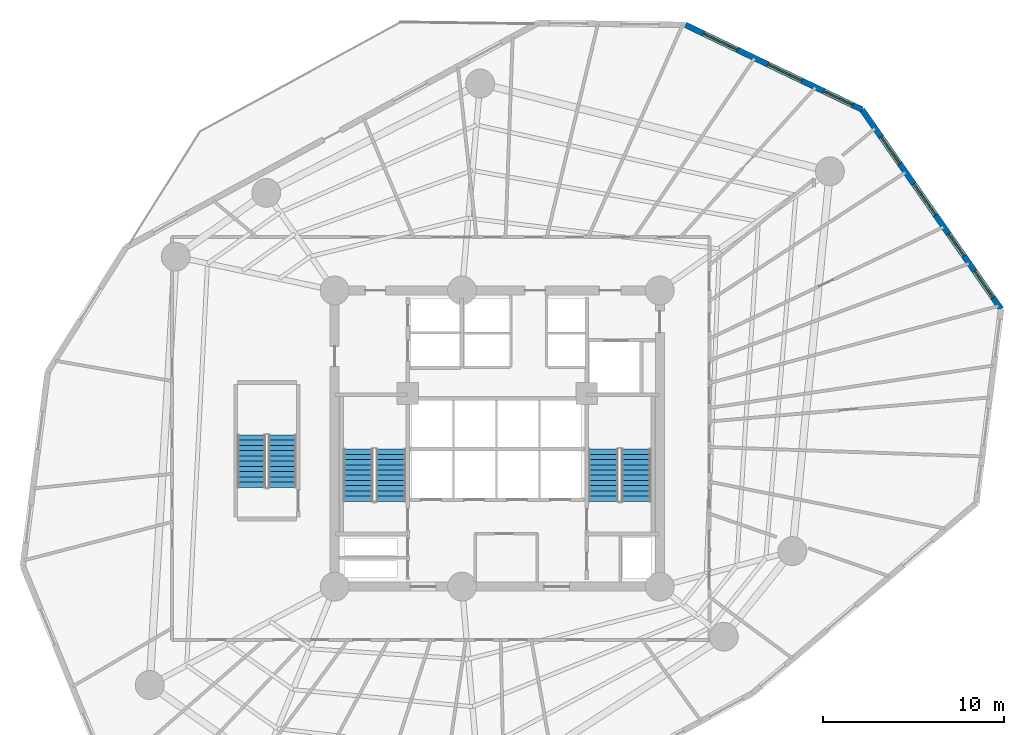
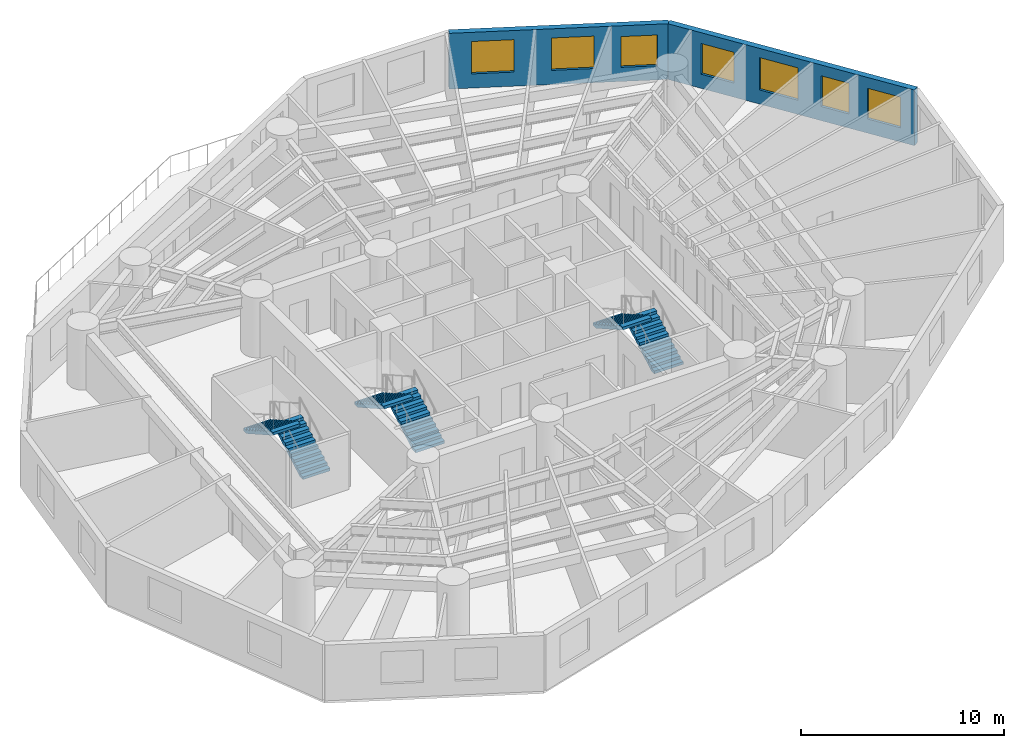
# One storey, part 7 of 9: 7 windows, 6 stair flights, 2 walls, 7 openings, 3 elements without a shape of their own.
"""IFC4 building model written with IfcOpenShell, lengths in metres."""

import ifcopenshell
import ifcopenshell.guid

model = None  # the IFC model being written
_history = None  # IfcOwnerHistory: only IFC2X3 demands one
_inside = {}  # id of a spatial element -> (the spatial element, [elements in it])
_under = {}  # id of a project, library or spatial element -> (it, [spatial elements below it])
_declared = {}  # id of a project -> (the project, [libraries it declares])
_typed = {}  # id of a type object -> (the type object, [elements of that type])
_made_of = {}  # id of a material, layer set ... -> (it, [elements and type objects made of it])


def new_model(schema):
    """Start an empty IFC model of exactly this schema.

    Asked for "IFC4X3", IfcOpenShell would pick the latest addendum, in which some entities
    have other attributes; the version numbers below select the first issue.
    IFC2X3 requires an IfcOwnerHistory on every rooted entity: one is made here for all.
    """
    global model, _history
    if schema == "IFC4X3":
        model = ifcopenshell.file(schema_version=(4, 3, 0, 0))
    else:
        model = ifcopenshell.file(schema=schema)
    _inside.clear()
    _under.clear()
    _declared.clear()
    _typed.clear()
    _made_of.clear()
    _history = None
    if model.schema == "IFC2X3":
        org = make("IfcOrganization", Name="unknown")
        user = make(
            "IfcPersonAndOrganization",
            ThePerson=make("IfcPerson", FamilyName="unknown"),
            TheOrganization=org,
        )
        app = make(
            "IfcApplication",
            ApplicationDeveloper=org,
            Version="unknown",
            ApplicationFullName="unknown",
            ApplicationIdentifier="unknown",
        )
        _history = make(
            "IfcOwnerHistory",
            OwningUser=user,
            OwningApplication=app,
            ChangeAction="ADDED",
            CreationDate=0,
        )
    return model


def make(cls, **values):
    """One entity of the class cls with the attributes given. An attribute that is None is left unset."""
    return model.create_entity(
        cls, **{name: value for name, value in values.items() if value is not None}
    )


def rooted(cls, **values):
    """An entity with a GlobalId (a new one), such as an element, a storey or a relation."""
    return make(cls, GlobalId=ifcopenshell.guid.new(), OwnerHistory=_history, **values)


def si_unit(unit_type, name, prefix=None):
    """IfcSIUnit, for example si_unit("LENGTHUNIT", "METRE", prefix="MILLI")."""
    return make("IfcSIUnit", UnitType=unit_type, Prefix=prefix, Name=name)


def assignment(units):
    """IfcUnitAssignment: the units of a project."""
    return None if units is None else make("IfcUnitAssignment", Units=units)


def point(xyz):
    """IfcCartesianPoint."""
    return None if xyz is None else make("IfcCartesianPoint", Coordinates=xyz)


def direction(xyz):
    """IfcDirection."""
    return None if xyz is None else make("IfcDirection", DirectionRatios=xyz)


def frame(location, z_axis=None, x_axis=None):
    """IfcAxis2Placement3D, a coordinate frame: its origin and axes. An axis left out is left unset."""
    return make(
        "IfcAxis2Placement3D",
        Location=point(location),
        Axis=direction(z_axis),
        RefDirection=direction(x_axis),
    )


def frame_2d(location, x_axis=None):
    """IfcAxis2Placement2D, a coordinate frame in the plane: its origin and x axis."""
    return make(
        "IfcAxis2Placement2D", Location=point(location), RefDirection=direction(x_axis)
    )


def origin():
    """The frame at (0, 0, 0) with its axes left unset."""
    return frame((0.0, 0.0, 0.0))


def origin_with_axes():
    """The frame at (0, 0, 0) with the z axis (0, 0, 1) and the x axis (1, 0, 0) written out."""
    return frame((0.0, 0.0, 0.0), z_axis=(0.0, 0.0, 1.0), x_axis=(1.0, 0.0, 0.0))


def place(relative_to, where):
    """IfcLocalPlacement: puts the frame where relative to a parent placement (None: the world)."""
    return make(
        "IfcLocalPlacement", PlacementRelTo=relative_to, RelativePlacement=where
    )


def context(
    kind, dimensions, precision=None, world=None, true_north=None, identifier=None
):
    """IfcGeometricRepresentationContext, for example the 3D "Model" context."""
    return make(
        "IfcGeometricRepresentationContext",
        ContextIdentifier=identifier,
        ContextType=kind,
        CoordinateSpaceDimension=dimensions,
        Precision=precision,
        WorldCoordinateSystem=world,
        TrueNorth=true_north,
    )


def subcontext(parent, identifier, kind, view, scale=None):
    """IfcGeometricRepresentationSubContext, for example "Body" below "Model"."""
    return make(
        "IfcGeometricRepresentationSubContext",
        ContextIdentifier=identifier,
        ContextType=kind,
        ParentContext=parent,
        TargetScale=scale,
        TargetView=view,
    )


def project(units=None, contexts=None):
    """IfcProject with its units and contexts."""
    return rooted(
        "IfcProject",
        Name="project",
        RepresentationContexts=contexts,
        UnitsInContext=assignment(units),
    )


def spatial(cls, under=None, at=None, **own):
    """A site, building, storey or space (cls), placed at a placement, below another one or the project."""
    s = rooted(cls, ObjectPlacement=at, **own)
    if under is not None:
        _under.setdefault(under.id(), (under, []))[1].append(s)
    return s


def polyline(points):
    """IfcPolyline through the points."""
    return make("IfcPolyline", Points=[point(p) for p in points])


def profile(cls, at=None, kind="AREA", **sizes):
    """A parametric profile (cls). Its sizes go by their IFC names, for example OverallWidth=200.0."""
    return make(cls, ProfileType=kind, Position=at, **sizes)


def rectangle(**sizes):
    """IfcRectangleProfileDef."""
    return profile("IfcRectangleProfileDef", **sizes)


def outline(outer, holes=None, kind="AREA"):
    """IfcArbitraryClosedProfileDef: a profile drawn as a closed curve; with holes, ...WithVoids."""
    if holes is None:
        return make("IfcArbitraryClosedProfileDef", ProfileType=kind, OuterCurve=outer)
    return make(
        "IfcArbitraryProfileDefWithVoids",
        ProfileType=kind,
        OuterCurve=outer,
        InnerCurves=holes,
    )


def extrude(swept, where, along, depth):
    """IfcExtrudedAreaSolid: the profile swept, set in the frame where, extruded along a direction by depth."""
    return make(
        "IfcExtrudedAreaSolid",
        SweptArea=swept,
        Position=where,
        ExtrudedDirection=direction(along),
        Depth=depth,
    )


def shape(context_of_items, identifier, shape_type, items):
    """IfcShapeRepresentation: the items that make up one representation, for example the "Body"."""
    return make(
        "IfcShapeRepresentation",
        ContextOfItems=context_of_items,
        RepresentationIdentifier=identifier,
        RepresentationType=shape_type,
        Items=items,
    )


def source(mapping_origin, context_of_items, identifier, shape_type, items):
    """IfcRepresentationMap: a shape defined once, which mapped items show again and again."""
    return make(
        "IfcRepresentationMap",
        MappingOrigin=mapping_origin,
        MappedRepresentation=shape(context_of_items, identifier, shape_type, items),
    )


def transform(
    local_origin,
    x_axis=None,
    y_axis=None,
    z_axis=None,
    scale=None,
    scale2=None,
    scale3=None,
    uniform=True,
):
    """IfcCartesianTransformationOperator3D, or its non-uniform kind. x_axis, y_axis, z_axis: its Axis1, 2, 3."""
    if uniform:
        return make(
            "IfcCartesianTransformationOperator3D",
            Axis1=direction(x_axis),
            Axis2=direction(y_axis),
            LocalOrigin=point(local_origin),
            Scale=scale,
            Axis3=direction(z_axis),
        )
    return make(
        "IfcCartesianTransformationOperator3DnonUniform",
        Axis1=direction(x_axis),
        Axis2=direction(y_axis),
        LocalOrigin=point(local_origin),
        Scale=scale,
        Axis3=direction(z_axis),
        Scale2=scale2,
        Scale3=scale3,
    )


def mapped(mapping_source, mapping_target):
    """IfcMappedItem: shows the shape of a source again, moved by a transform."""
    return make(
        "IfcMappedItem", MappingSource=mapping_source, MappingTarget=mapping_target
    )


def material(Name=None, Category=None):
    """IfcMaterial."""
    return make("IfcMaterial", Name=Name, Category=Category)


def layer(
    of_material, thickness, ventilated=None, Name=None, Category=None, Priority=None
):
    """IfcMaterialLayer: one layer of a wall or slab, of a material (None: an air gap)."""
    return make(
        "IfcMaterialLayer",
        Material=of_material,
        LayerThickness=thickness,
        IsVentilated=ventilated,
        Name=Name,
        Category=Category,
        Priority=Priority,
    )


def layer_set(layers, Name=None):
    """IfcMaterialLayerSet."""
    return make("IfcMaterialLayerSet", MaterialLayers=layers, LayerSetName=Name)


def made_of(thing, what):
    """Note that an element or type object is made of a material, layer set ...; save() writes the relation."""
    if what is not None:
        _made_of.setdefault(what.id(), (what, []))[1].append(thing)
    return thing


def type_object(cls, material=None, **own):
    """A type object (cls), such as IfcWallType, which elements share."""
    return made_of(rooted(cls, **own), material)


def element(
    cls,
    number,
    at=None,
    inside=None,
    cuts=None,
    type_object=None,
    material=None,
    context=None,
    identifier="Body",
    shape_type=None,
    held_by="IfcProductDefinitionShape",
    body=None,
    shapes=None,
    **own,
):
    """One element of the class cls, such as IfcWall. Its Tag is "e" and its number.

    at: its placement. inside: the storey or other place that contains it. cuts: it is an
    opening in that element (IfcRelVoidsElement). A single representation is given by context,
    identifier, shape_type and body (its items); several are given by shapes. held_by: the class
    of the entity that holds the representations. save() writes the other relations.
    """
    e = rooted(cls, Tag="e%d" % number, ObjectPlacement=at, **own)
    if body is not None:
        shapes = [shape(context, identifier, shape_type, body)]
    if shapes is not None:
        e.Representation = make(held_by, Representations=shapes)
    if inside is not None:
        _inside.setdefault(inside.id(), (inside, []))[1].append(e)
    if cuts is not None:
        rooted(
            "IfcRelVoidsElement", RelatingBuildingElement=cuts, RelatedOpeningElement=e
        )
    if type_object is not None:
        _typed.setdefault(type_object.id(), (type_object, []))[1].append(e)
    return made_of(e, material)


def fill(opening, filler):
    """IfcRelFillsElement: the door or window that sits in an opening."""
    return rooted(
        "IfcRelFillsElement",
        RelatingOpeningElement=opening,
        RelatedBuildingElement=filler,
    )


def aggregate(whole, parts):
    """IfcRelAggregates: a whole, such as a stair, and the parts it consists of."""
    return rooted("IfcRelAggregates", RelatingObject=whole, RelatedObjects=parts)


def save(model, path):
    """Write the relations noted so far, then the file.

    IfcRelAggregates (storeys below a building ...), IfcRelContainedInSpatialStructure (elements
    in a storey), IfcRelDefinesByType, IfcRelAssociatesMaterial and IfcRelDeclares: one each for
    every whole, place, type object, material and project.
    """
    for whole, parts in _under.values():
        aggregate(whole, parts)
    for where, things in _inside.values():
        rooted(
            "IfcRelContainedInSpatialStructure",
            RelatedElements=things,
            RelatingStructure=where,
        )
    for kind, things in _typed.values():
        rooted("IfcRelDefinesByType", RelatedObjects=things, RelatingType=kind)
    for what, things in _made_of.values():
        rooted("IfcRelAssociatesMaterial", RelatedObjects=things, RelatingMaterial=what)
    for by, libraries in _declared.values():
        rooted("IfcRelDeclares", RelatingContext=by, RelatedDefinitions=libraries)
    model.write(path)


model = new_model("IFC4")

# Units and contexts
model_context = context("Model", 3, precision=1e-05, world=origin(), true_north=direction((0.0, 1.0)))
body_context = subcontext(model_context, "Body", "Model", "MODEL_VIEW")
ifc_project = project(units=[si_unit("LENGTHUNIT", "METRE"), si_unit("AREAUNIT", "SQUARE_METRE"), si_unit("VOLUMEUNIT", "CUBIC_METRE"), si_unit("PLANEANGLEUNIT", "RADIAN"), si_unit("MASSUNIT", "GRAM", prefix="KILO")], contexts=[model_context])

# Site, building, storey
site_placement = place(None, origin())
site = spatial("IfcSite", under=ifc_project, at=site_placement, CompositionType="ELEMENT")
building_placement = place(site_placement, origin())
building = spatial("IfcBuilding", under=site, at=building_placement, Name="Karkom Vertical University and Central Library", CompositionType="ELEMENT")
storey_placement = place(building_placement, frame((0.0, 0.0, 26.5)))
storey = spatial("IfcBuildingStorey", under=building, at=storey_placement, Name="L06", CompositionType="ELEMENT", Elevation=26.5)

# Wall, openings, windows
ifc_material_1 = material(Name="Brick-faced precast concrete C45/55", Category="masonry")
ifc_layer = layer(ifc_material_1, 0.320068359375)
ifc_layer_set = layer_set([ifc_layer], Name="Brick-faced precast concrete C45/55")
wall_type = type_object("IfcWallType", Name="ENV-WL-BRK-320", PredefinedType="SOLIDWALL", material=ifc_layer_set)
wall_1_placement = place(storey_placement, frame((56.39990234375, 33.667724609375, 0.0), z_axis=(0.0, 0.0, 1.0), x_axis=(-0.571842194633, 0.820363641586, 0.0)))
wall_1 = element("IfcWall", 1, at=wall_1_placement, inside=storey, type_object=wall_type, Name="Level 06 Brick-Faced Precast Facade Wall 09", PredefinedType="SOLIDWALL", context=body_context, shape_type="SweptSolid", body=[
    extrude(rectangle(XDim=13.47021484375, YDim=0.320068359375, at=frame_2d((6.735107421875, 0.0))), origin(), (0.0, 0.0, 1.0), 3.35009765625),
])
opening_1_placement = place(wall_1_placement, frame((0.77001953125, 0.0, 0.85009765625)))
opening_1 = element("IfcOpeningElement", 2, at=opening_1_placement, cuts=wall_1, Name="Opening WN-04", PredefinedType="OPENING", context=body_context, shape_type="SweptSolid", body=[
    extrude(rectangle(XDim=1.800048828125, YDim=1.85009765625, at=frame_2d((0.89990234375, 0.925048828125))), frame((0.0, 0.169921875, 0.0), z_axis=(0.0, -1.0, 0.0), x_axis=(1.0, 0.0, 0.0)), (0.0, 0.0, 1.0), 0.340087890625),
])
opening_2_placement = place(wall_1_placement, frame((3.580810546875, 0.0, 0.85009765625)))
opening_2 = element("IfcOpeningElement", 3, at=opening_2_placement, cuts=wall_1, Name="Opening WN-05", PredefinedType="OPENING", context=body_context, shape_type="SweptSolid", body=[
    extrude(rectangle(XDim=1.5, YDim=1.85009765625, at=frame_2d((0.75, 0.925048828125))), frame((0.0, 0.169921875, 0.0), z_axis=(0.0, -1.0, 0.0), x_axis=(1.0, 0.0, 0.0)), (0.0, 0.0, 1.0), 0.340087890625),
])
opening_3_placement = place(wall_1_placement, frame((6.35009765625, 0.0, 0.85009765625)))
opening_3 = element("IfcOpeningElement", 4, at=opening_3_placement, cuts=wall_1, Name="Opening WN-03", PredefinedType="OPENING", context=body_context, shape_type="SweptSolid", body=[
    extrude(rectangle(XDim=2.10009765625, YDim=1.949951171875, at=frame_2d((1.050048828125, 0.97509765625))), frame((0.0, 0.169921875, 0.0), z_axis=(0.0, -1.0, 0.0), x_axis=(1.0, 0.0, 0.0)), (0.0, 0.0, 1.0), 0.340087890625),
])
opening_4_placement = place(wall_1_placement, frame((9.81591796875, 0.0, 0.85009765625)))
opening_4 = element("IfcOpeningElement", 5, at=opening_4_placement, cuts=wall_1, Name="Opening WN-04", PredefinedType="OPENING", context=body_context, shape_type="SweptSolid", body=[
    extrude(rectangle(XDim=1.800048828125, YDim=1.85009765625, at=frame_2d((0.89990234375, 0.925048828125))), frame((0.0, 0.169921875, 0.0), z_axis=(0.0, -1.0, 0.0), x_axis=(1.0, 0.0, 0.0)), (0.0, 0.0, 1.0), 0.340087890625),
])
ifc_material_2 = material(Name="Aluminium thermal-break frame with solar-control IGU", Category="aluminium")
window_type_1 = type_object("IfcWindowType", Name="ENV-WIN-WN-03", PartitioningType="SINGLE_PANEL", PredefinedType="WINDOW", material=ifc_material_2)
shared_shape_1 = source(origin_with_axes(), body_context, "Body", "SweptSolid", [
    extrude(rectangle(XDim=2.10009765625, YDim=1.949951171875, at=frame_2d((1.050048828125, 0.97509765625))), frame((0.0, 0.030029296875, 0.0), z_axis=(0.0, -1.0, 0.0), x_axis=(1.0, 0.0, 0.0)), (0.0, 0.0, 1.0), 0.06005859375),
])
window_1_placement = place(opening_3_placement, origin())
window_1 = element("IfcWindow", 6, at=window_1_placement, inside=storey, type_object=window_type_1, Name="Level 06 Punched Window 9.3", OverallHeight=1.949951171875, OverallWidth=2.10009765625, PartitioningType="SINGLE_PANEL", PredefinedType="WINDOW", context=body_context, shape_type="MappedRepresentation", body=[
    mapped(shared_shape_1, transform((0.0, 0.0, 0.0), scale=1.0)),
])
fill(opening_3, window_1)
window_type_2 = type_object("IfcWindowType", Name="ENV-WIN-WN-05", PartitioningType="SINGLE_PANEL", PredefinedType="WINDOW", material=ifc_material_2)
shared_shape_2 = source(origin_with_axes(), body_context, "Body", "SweptSolid", [
    extrude(rectangle(XDim=1.5, YDim=1.85009765625, at=frame_2d((0.75, 0.925048828125))), frame((0.0, 0.030029296875, 0.0), z_axis=(0.0, -1.0, 0.0), x_axis=(1.0, 0.0, 0.0)), (0.0, 0.0, 1.0), 0.06005859375),
])
window_2_placement = place(opening_2_placement, origin())
window_2 = element("IfcWindow", 7, at=window_2_placement, inside=storey, type_object=window_type_2, Name="Level 06 Punched Window 9.2", OverallHeight=1.85009765625, OverallWidth=1.5, PartitioningType="SINGLE_PANEL", PredefinedType="WINDOW", context=body_context, shape_type="MappedRepresentation", body=[
    mapped(shared_shape_2, transform((0.0, 0.0, 0.0), scale=1.0)),
])
fill(opening_2, window_2)
window_type_3 = type_object("IfcWindowType", Name="ENV-WIN-WN-04", PartitioningType="SINGLE_PANEL", PredefinedType="WINDOW", material=ifc_material_2)
shared_shape_3 = source(origin_with_axes(), body_context, "Body", "SweptSolid", [
    extrude(rectangle(XDim=1.800048828125, YDim=1.85009765625, at=frame_2d((0.89990234375, 0.925048828125))), frame((0.0, 0.030029296875, 0.0), z_axis=(0.0, -1.0, 0.0), x_axis=(1.0, 0.0, 0.0)), (0.0, 0.0, 1.0), 0.06005859375),
])
window_3_placement = place(opening_1_placement, origin())
window_3 = element("IfcWindow", 8, at=window_3_placement, inside=storey, type_object=window_type_3, Name="Level 06 Punched Window 9.1", OverallHeight=1.85009765625, OverallWidth=1.800048828125, PartitioningType="SINGLE_PANEL", PredefinedType="WINDOW", context=body_context, shape_type="MappedRepresentation", body=[
    mapped(shared_shape_3, transform((0.0, 0.0, 0.0), scale=1.0)),
])
fill(opening_1, window_3)
window_4_placement = place(opening_4_placement, origin())
window_4 = element("IfcWindow", 9, at=window_4_placement, inside=storey, type_object=window_type_3, Name="Level 06 Punched Window 9.4", OverallHeight=1.85009765625, OverallWidth=1.800048828125, PartitioningType="SINGLE_PANEL", PredefinedType="WINDOW", context=body_context, shape_type="MappedRepresentation", body=[
    mapped(shared_shape_3, transform((0.0, 0.0, 0.0), scale=1.0)),
])
fill(opening_4, window_4)

wall_2_placement = place(storey_placement, frame((48.697021484375, 44.71826171875, 0.0), z_axis=(0.0, 0.0, 1.0), x_axis=(-0.901740587255, 0.432277588242, 0.0)))
wall_2 = element("IfcWall", 10, at=wall_2_placement, inside=storey, type_object=wall_type, Name="Level 06 Brick-Faced Precast Facade Wall 10", PredefinedType="SOLIDWALL", context=body_context, shape_type="SweptSolid", body=[
    extrude(rectangle(XDim=10.852783203125, YDim=0.320068359375, at=frame_2d((5.42626953125, 0.0))), origin(), (0.0, 0.0, 1.0), 3.35009765625),
])
opening_5_placement = place(wall_2_placement, frame((0.56298828125, 0.0, 0.85009765625)))
opening_5 = element("IfcOpeningElement", 11, at=opening_5_placement, cuts=wall_2, Name="Opening WN-04", PredefinedType="OPENING", context=body_context, shape_type="SweptSolid", body=[
    extrude(rectangle(XDim=1.800048828125, YDim=1.85009765625, at=frame_2d((0.89990234375, 0.925048828125))), frame((0.0, 0.169921875, 0.0), z_axis=(0.0, -1.0, 0.0), x_axis=(1.0, 0.0, 0.0)), (0.0, 0.0, 1.0), 0.340087890625),
])
opening_6_placement = place(wall_2_placement, frame((3.681884765625, 0.0, 0.85009765625)))
opening_6 = element("IfcOpeningElement", 12, at=opening_6_placement, cuts=wall_2, Name="Opening WN-03", PredefinedType="OPENING", context=body_context, shape_type="SweptSolid", body=[
    extrude(rectangle(XDim=2.10009765625, YDim=1.949951171875, at=frame_2d((1.050048828125, 0.97509765625))), frame((0.0, 0.169921875, 0.0), z_axis=(0.0, -1.0, 0.0), x_axis=(1.0, 0.0, 0.0)), (0.0, 0.0, 1.0), 0.340087890625),
])
opening_7_placement = place(wall_2_placement, frame((7.645263671875, 0.0, 0.85009765625)))
opening_7 = element("IfcOpeningElement", 13, at=opening_7_placement, cuts=wall_2, Name="Opening WN-03", PredefinedType="OPENING", context=body_context, shape_type="SweptSolid", body=[
    extrude(rectangle(XDim=2.10009765625, YDim=1.949951171875, at=frame_2d((1.050048828125, 0.97509765625))), frame((0.0, 0.169921875, 0.0), z_axis=(0.0, -1.0, 0.0), x_axis=(1.0, 0.0, 0.0)), (0.0, 0.0, 1.0), 0.340087890625),
])
window_5_placement = place(opening_6_placement, origin())
window_5 = element("IfcWindow", 14, at=window_5_placement, inside=storey, type_object=window_type_1, Name="Level 06 Punched Window 10.2", OverallHeight=1.949951171875, OverallWidth=2.10009765625, PartitioningType="SINGLE_PANEL", PredefinedType="WINDOW", context=body_context, shape_type="MappedRepresentation", body=[
    mapped(shared_shape_1, transform((0.0, 0.0, 0.0), scale=1.0)),
])
fill(opening_6, window_5)
window_6_placement = place(opening_7_placement, origin())
window_6 = element("IfcWindow", 15, at=window_6_placement, inside=storey, type_object=window_type_1, Name="Level 06 Punched Window 10.3", OverallHeight=1.949951171875, OverallWidth=2.10009765625, PartitioningType="SINGLE_PANEL", PredefinedType="WINDOW", context=body_context, shape_type="MappedRepresentation", body=[
    mapped(shared_shape_1, transform((0.0, 0.0, 0.0), scale=1.0)),
])
fill(opening_7, window_6)
window_7_placement = place(opening_5_placement, origin())
window_7 = element("IfcWindow", 16, at=window_7_placement, inside=storey, type_object=window_type_3, Name="Level 06 Punched Window 10.1", OverallHeight=1.85009765625, OverallWidth=1.800048828125, PartitioningType="SINGLE_PANEL", PredefinedType="WINDOW", context=body_context, shape_type="MappedRepresentation", body=[
    mapped(shared_shape_3, transform((0.0, 0.0, 0.0), scale=1.0)),
])
fill(opening_5, window_7)

# Stair, stair flights
ifc_material_3 = material(Name="Concrete C45/55", Category="concrete")
stair_type_1 = type_object("IfcStairType", Name="INT-STR-ST-MAIN", PredefinedType="HALF_TURN_STAIR", material=ifc_material_3)
stair_1_placement = place(storey_placement, origin())
stair_1 = element("IfcStair", 17, at=stair_1_placement, inside=storey, type_object=stair_type_1, Name="Level 06 Tower Protected Exit Stair ST-1", PredefinedType="HALF_TURN_STAIR")
stair_flight_type_1 = type_object("IfcStairFlightType", Name="INT-SFL-ST-MAIN", PredefinedType="STRAIGHT", material=ifc_material_3)
stair_flight_1_placement = place(storey_placement, frame((22.614990234375, 23.02001953125, 0.0), z_axis=(0.0, 0.0, 1.0), x_axis=(0.0, 1.0, 0.0)))
stair_flight_1 = element("IfcStairFlight", 18, at=stair_flight_1_placement, type_object=stair_flight_type_1, Name="ST-1 flight 1", NumberOfRisers=11, NumberOfTreads=10, PredefinedType="STRAIGHT", RiserHeight=0.163636364, TreadLength=0.29, context=body_context, shape_type="SweptSolid", body=[
    extrude(outline(polyline([(0.0, 0.0), (0.0, 0.16357421875), (0.2900390625, 0.16357421875), (0.2900390625, 0.327392578125), (0.580078125, 0.327392578125), (0.580078125, 0.490966796875), (0.8701171875, 0.490966796875), (0.8701171875, 0.654541015625), (1.159912109375, 0.654541015625), (1.159912109375, 0.818115234375), (1.449951171875, 0.818115234375), (1.449951171875, 0.98193359375), (1.739990234375, 0.98193359375), (1.739990234375, 1.1455078125), (2.030029296875, 1.1455078125), (2.030029296875, 1.30908203125), (2.320068359375, 1.30908203125), (2.320068359375, 1.47265625), (2.610107421875, 1.47265625), (2.610107421875, 1.636474609375), (2.89990234375, 1.636474609375), (2.89990234375, 1.800048828125), (2.89990234375, 1.46435546875), (0.304931640625, 0.0), (0.0, 0.0)])), frame((0.0, 0.824951171875, 0.0), z_axis=(0.0, -1.0, 0.0), x_axis=(1.0, 0.0, 0.0)), (0.0, 0.0, 1.0), 1.64990234375),
])
stair_flight_2_placement = place(storey_placement, frame((20.804931640625, 25.919921875, 1.800048828125), z_axis=(0.0, 0.0, 1.0), x_axis=(0.0, -1.0, 0.0)))
stair_flight_2 = element("IfcStairFlight", 19, at=stair_flight_2_placement, type_object=stair_flight_type_1, Name="ST-1 flight 2", NumberOfRisers=11, NumberOfTreads=10, PredefinedType="STRAIGHT", RiserHeight=0.163636364, TreadLength=0.29, context=body_context, shape_type="SweptSolid", body=[
    extrude(outline(polyline([(0.0, 0.0), (0.0, 0.16357421875), (0.2900390625, 0.16357421875), (0.2900390625, 0.327392578125), (0.580078125, 0.327392578125), (0.580078125, 0.490966796875), (0.8701171875, 0.490966796875), (0.8701171875, 0.654541015625), (1.159912109375, 0.654541015625), (1.159912109375, 0.818115234375), (1.449951171875, 0.818115234375), (1.449951171875, 0.98193359375), (1.739990234375, 0.98193359375), (1.739990234375, 1.1455078125), (2.030029296875, 1.1455078125), (2.030029296875, 1.30908203125), (2.320068359375, 1.30908203125), (2.320068359375, 1.47265625), (2.610107421875, 1.47265625), (2.610107421875, 1.636474609375), (2.89990234375, 1.636474609375), (2.89990234375, 1.800048828125), (2.89990234375, 1.46435546875), (0.304931640625, 0.0), (0.0, 0.0)])), frame((0.0, 0.824951171875, 0.0), z_axis=(0.0, -1.0, 0.0), x_axis=(1.0, 0.0, 0.0)), (0.0, 0.0, 1.0), 1.64990234375),
])
aggregate(stair_1, [stair_flight_1, stair_flight_2])

stair_2_placement = place(storey_placement, origin())
stair_2 = element("IfcStair", 20, at=stair_2_placement, inside=storey, type_object=stair_type_1, Name="Level 06 Tower Protected Exit Stair ST-2", PredefinedType="HALF_TURN_STAIR")
stair_flight_3_placement = place(storey_placement, frame((36.195068359375, 23.02001953125, 0.0), z_axis=(0.0, 0.0, 1.0), x_axis=(0.0, 1.0, 0.0)))
stair_flight_3 = element("IfcStairFlight", 21, at=stair_flight_3_placement, type_object=stair_flight_type_1, Name="ST-2 flight 1", NumberOfRisers=11, NumberOfTreads=10, PredefinedType="STRAIGHT", RiserHeight=0.163636364, TreadLength=0.29, context=body_context, shape_type="SweptSolid", body=[
    extrude(outline(polyline([(0.0, 0.0), (0.0, 0.16357421875), (0.2900390625, 0.16357421875), (0.2900390625, 0.327392578125), (0.580078125, 0.327392578125), (0.580078125, 0.490966796875), (0.8701171875, 0.490966796875), (0.8701171875, 0.654541015625), (1.159912109375, 0.654541015625), (1.159912109375, 0.818115234375), (1.449951171875, 0.818115234375), (1.449951171875, 0.98193359375), (1.739990234375, 0.98193359375), (1.739990234375, 1.1455078125), (2.030029296875, 1.1455078125), (2.030029296875, 1.30908203125), (2.320068359375, 1.30908203125), (2.320068359375, 1.47265625), (2.610107421875, 1.47265625), (2.610107421875, 1.636474609375), (2.89990234375, 1.636474609375), (2.89990234375, 1.800048828125), (2.89990234375, 1.46435546875), (0.304931640625, 0.0), (0.0, 0.0)])), frame((0.0, 0.824951171875, 0.0), z_axis=(0.0, -1.0, 0.0), x_axis=(1.0, 0.0, 0.0)), (0.0, 0.0, 1.0), 1.64990234375),
])
stair_flight_4_placement = place(storey_placement, frame((34.385009765625, 25.919921875, 1.800048828125), z_axis=(0.0, 0.0, 1.0), x_axis=(0.0, -1.0, 0.0)))
stair_flight_4 = element("IfcStairFlight", 22, at=stair_flight_4_placement, type_object=stair_flight_type_1, Name="ST-2 flight 2", NumberOfRisers=11, NumberOfTreads=10, PredefinedType="STRAIGHT", RiserHeight=0.163636364, TreadLength=0.29, context=body_context, shape_type="SweptSolid", body=[
    extrude(outline(polyline([(0.0, 0.0), (0.0, 0.16357421875), (0.2900390625, 0.16357421875), (0.2900390625, 0.327392578125), (0.580078125, 0.327392578125), (0.580078125, 0.490966796875), (0.8701171875, 0.490966796875), (0.8701171875, 0.654541015625), (1.159912109375, 0.654541015625), (1.159912109375, 0.818115234375), (1.449951171875, 0.818115234375), (1.449951171875, 0.98193359375), (1.739990234375, 0.98193359375), (1.739990234375, 1.1455078125), (2.030029296875, 1.1455078125), (2.030029296875, 1.30908203125), (2.320068359375, 1.30908203125), (2.320068359375, 1.47265625), (2.610107421875, 1.47265625), (2.610107421875, 1.636474609375), (2.89990234375, 1.636474609375), (2.89990234375, 1.800048828125), (2.89990234375, 1.46435546875), (0.304931640625, 0.0), (0.0, 0.0)])), frame((0.0, 0.824951171875, 0.0), z_axis=(0.0, -1.0, 0.0), x_axis=(1.0, 0.0, 0.0)), (0.0, 0.0, 1.0), 1.64990234375),
])
aggregate(stair_2, [stair_flight_3, stair_flight_4])

stair_type_2 = type_object("IfcStairType", Name="INT-STR-ST-SEC", PredefinedType="HALF_TURN_STAIR", material=ifc_material_3)
stair_3_placement = place(storey_placement, origin())
stair_3 = element("IfcStair", 23, at=stair_3_placement, inside=storey, type_object=stair_type_2, Name="Level 06 Academic Zone Protected Exit Stair ST-3", PredefinedType="HALF_TURN_STAIR")
stair_flight_type_2 = type_object("IfcStairFlightType", Name="INT-SFL-ST-SEC", PredefinedType="STRAIGHT", material=ifc_material_3)
stair_flight_5_placement = place(storey_placement, frame((16.60498046875, 23.800048828125, 0.0), z_axis=(0.0, 0.0, 1.0), x_axis=(0.0, 1.0, 0.0)))
stair_flight_5 = element("IfcStairFlight", 24, at=stair_flight_5_placement, type_object=stair_flight_type_2, Name="ST-3 flight 1", NumberOfRisers=11, NumberOfTreads=10, PredefinedType="STRAIGHT", RiserHeight=0.163636364, TreadLength=0.29, context=body_context, shape_type="SweptSolid", body=[
    extrude(outline(polyline([(0.0, 0.0), (0.0, 0.16357421875), (0.2900390625, 0.16357421875), (0.2900390625, 0.327392578125), (0.580078125, 0.327392578125), (0.580078125, 0.490966796875), (0.8701171875, 0.490966796875), (0.8701171875, 0.654541015625), (1.159912109375, 0.654541015625), (1.159912109375, 0.818115234375), (1.449951171875, 0.818115234375), (1.449951171875, 0.98193359375), (1.739990234375, 0.98193359375), (1.739990234375, 1.1455078125), (2.030029296875, 1.1455078125), (2.030029296875, 1.30908203125), (2.320068359375, 1.30908203125), (2.320068359375, 1.47265625), (2.610107421875, 1.47265625), (2.610107421875, 1.636474609375), (2.89990234375, 1.636474609375), (2.89990234375, 1.800048828125), (2.89990234375, 1.46435546875), (0.304931640625, 0.0), (0.0, 0.0)])), frame((0.0, 0.77490234375, 0.0), z_axis=(0.0, -1.0, 0.0), x_axis=(1.0, 0.0, 0.0)), (0.0, 0.0, 1.0), 1.550048828125),
])
stair_flight_6_placement = place(storey_placement, frame((14.89501953125, 26.699951171875, 1.800048828125), z_axis=(0.0, 0.0, 1.0), x_axis=(0.0, -1.0, 0.0)))
stair_flight_6 = element("IfcStairFlight", 25, at=stair_flight_6_placement, type_object=stair_flight_type_2, Name="ST-3 flight 2", NumberOfRisers=11, NumberOfTreads=10, PredefinedType="STRAIGHT", RiserHeight=0.163636364, TreadLength=0.29, context=body_context, shape_type="SweptSolid", body=[
    extrude(outline(polyline([(0.0, 0.0), (0.0, 0.16357421875), (0.2900390625, 0.16357421875), (0.2900390625, 0.327392578125), (0.580078125, 0.327392578125), (0.580078125, 0.490966796875), (0.8701171875, 0.490966796875), (0.8701171875, 0.654541015625), (1.159912109375, 0.654541015625), (1.159912109375, 0.818115234375), (1.449951171875, 0.818115234375), (1.449951171875, 0.98193359375), (1.739990234375, 0.98193359375), (1.739990234375, 1.1455078125), (2.030029296875, 1.1455078125), (2.030029296875, 1.30908203125), (2.320068359375, 1.30908203125), (2.320068359375, 1.47265625), (2.610107421875, 1.47265625), (2.610107421875, 1.636474609375), (2.89990234375, 1.636474609375), (2.89990234375, 1.800048828125), (2.89990234375, 1.46435546875), (0.304931640625, 0.0), (0.0, 0.0)])), frame((0.0, 0.77490234375, 0.0), z_axis=(0.0, -1.0, 0.0), x_axis=(1.0, 0.0, 0.0)), (0.0, 0.0, 1.0), 1.550048828125),
])
aggregate(stair_3, [stair_flight_5, stair_flight_6])

save(model, "model.ifc")
